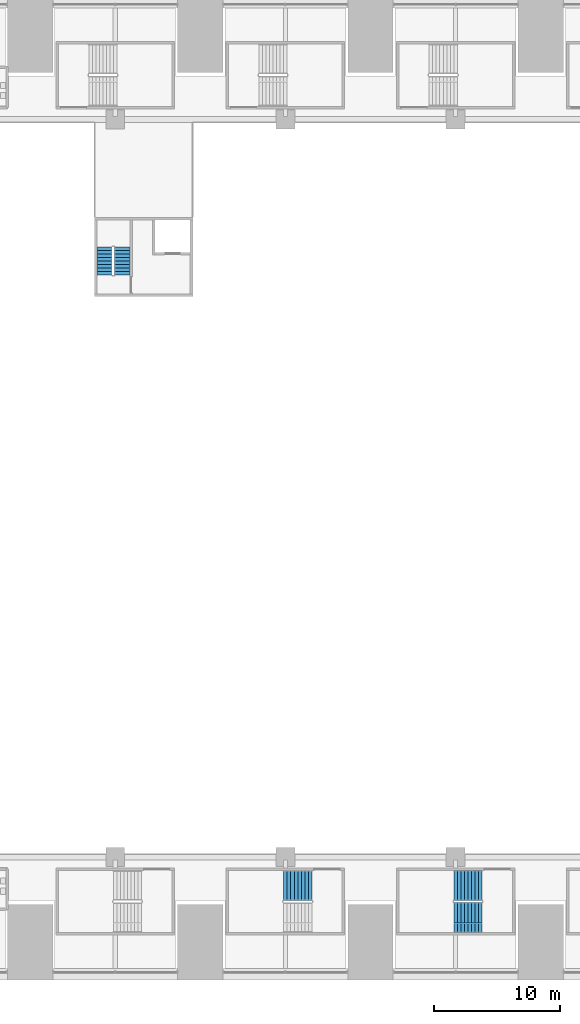
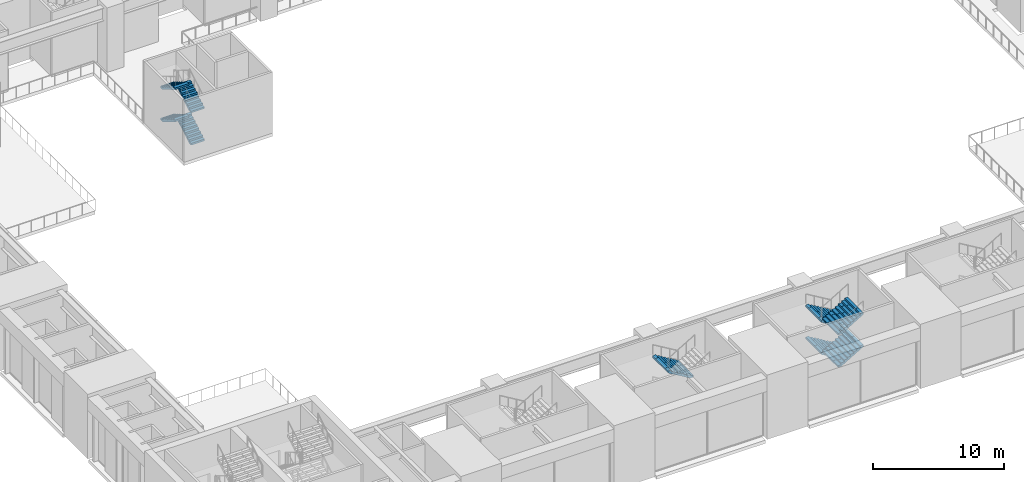
# One storey, part 24 of 43: 9 stair flights, 3 elements without a shape of their own.
"""IFC4 building model written with IfcOpenShell, lengths in metres."""

import ifcopenshell
import ifcopenshell.guid

model = None  # the IFC model being written
_history = None  # IfcOwnerHistory: only IFC2X3 demands one
_inside = {}  # id of a spatial element -> (the spatial element, [elements in it])
_under = {}  # id of a project, library or spatial element -> (it, [spatial elements below it])
_declared = {}  # id of a project -> (the project, [libraries it declares])
_typed = {}  # id of a type object -> (the type object, [elements of that type])
_made_of = {}  # id of a material, layer set ... -> (it, [elements and type objects made of it])


def new_model(schema):
    """Start an empty IFC model of exactly this schema.

    Asked for "IFC4X3", IfcOpenShell would pick the latest addendum, in which some entities
    have other attributes; the version numbers below select the first issue.
    IFC2X3 requires an IfcOwnerHistory on every rooted entity: one is made here for all.
    """
    global model, _history
    if schema == "IFC4X3":
        model = ifcopenshell.file(schema_version=(4, 3, 0, 0))
    else:
        model = ifcopenshell.file(schema=schema)
    _inside.clear()
    _under.clear()
    _declared.clear()
    _typed.clear()
    _made_of.clear()
    _history = None
    if model.schema == "IFC2X3":
        org = make("IfcOrganization", Name="unknown")
        user = make(
            "IfcPersonAndOrganization",
            ThePerson=make("IfcPerson", FamilyName="unknown"),
            TheOrganization=org,
        )
        app = make(
            "IfcApplication",
            ApplicationDeveloper=org,
            Version="unknown",
            ApplicationFullName="unknown",
            ApplicationIdentifier="unknown",
        )
        _history = make(
            "IfcOwnerHistory",
            OwningUser=user,
            OwningApplication=app,
            ChangeAction="ADDED",
            CreationDate=0,
        )
    return model


def make(cls, **values):
    """One entity of the class cls with the attributes given. An attribute that is None is left unset."""
    return model.create_entity(
        cls, **{name: value for name, value in values.items() if value is not None}
    )


def rooted(cls, **values):
    """An entity with a GlobalId (a new one), such as an element, a storey or a relation."""
    return make(cls, GlobalId=ifcopenshell.guid.new(), OwnerHistory=_history, **values)


def si_unit(unit_type, name, prefix=None):
    """IfcSIUnit, for example si_unit("LENGTHUNIT", "METRE", prefix="MILLI")."""
    return make("IfcSIUnit", UnitType=unit_type, Prefix=prefix, Name=name)


def assignment(units):
    """IfcUnitAssignment: the units of a project."""
    return None if units is None else make("IfcUnitAssignment", Units=units)


def point(xyz):
    """IfcCartesianPoint."""
    return None if xyz is None else make("IfcCartesianPoint", Coordinates=xyz)


def direction(xyz):
    """IfcDirection."""
    return None if xyz is None else make("IfcDirection", DirectionRatios=xyz)


def frame(location, z_axis=None, x_axis=None):
    """IfcAxis2Placement3D, a coordinate frame: its origin and axes. An axis left out is left unset."""
    return make(
        "IfcAxis2Placement3D",
        Location=point(location),
        Axis=direction(z_axis),
        RefDirection=direction(x_axis),
    )


def origin():
    """The frame at (0, 0, 0) with its axes left unset."""
    return frame((0.0, 0.0, 0.0))


def place(relative_to, where):
    """IfcLocalPlacement: puts the frame where relative to a parent placement (None: the world)."""
    return make(
        "IfcLocalPlacement", PlacementRelTo=relative_to, RelativePlacement=where
    )


def context(
    kind, dimensions, precision=None, world=None, true_north=None, identifier=None
):
    """IfcGeometricRepresentationContext, for example the 3D "Model" context."""
    return make(
        "IfcGeometricRepresentationContext",
        ContextIdentifier=identifier,
        ContextType=kind,
        CoordinateSpaceDimension=dimensions,
        Precision=precision,
        WorldCoordinateSystem=world,
        TrueNorth=true_north,
    )


def subcontext(parent, identifier, kind, view, scale=None):
    """IfcGeometricRepresentationSubContext, for example "Body" below "Model"."""
    return make(
        "IfcGeometricRepresentationSubContext",
        ContextIdentifier=identifier,
        ContextType=kind,
        ParentContext=parent,
        TargetScale=scale,
        TargetView=view,
    )


def project(units=None, contexts=None):
    """IfcProject with its units and contexts."""
    return rooted(
        "IfcProject",
        Name="project",
        RepresentationContexts=contexts,
        UnitsInContext=assignment(units),
    )


def spatial(cls, under=None, at=None, **own):
    """A site, building, storey or space (cls), placed at a placement, below another one or the project."""
    s = rooted(cls, ObjectPlacement=at, **own)
    if under is not None:
        _under.setdefault(under.id(), (under, []))[1].append(s)
    return s


def polyline(points):
    """IfcPolyline through the points."""
    return make("IfcPolyline", Points=[point(p) for p in points])


def outline(outer, holes=None, kind="AREA"):
    """IfcArbitraryClosedProfileDef: a profile drawn as a closed curve; with holes, ...WithVoids."""
    if holes is None:
        return make("IfcArbitraryClosedProfileDef", ProfileType=kind, OuterCurve=outer)
    return make(
        "IfcArbitraryProfileDefWithVoids",
        ProfileType=kind,
        OuterCurve=outer,
        InnerCurves=holes,
    )


def extrude(swept, where, along, depth):
    """IfcExtrudedAreaSolid: the profile swept, set in the frame where, extruded along a direction by depth."""
    return make(
        "IfcExtrudedAreaSolid",
        SweptArea=swept,
        Position=where,
        ExtrudedDirection=direction(along),
        Depth=depth,
    )


def shape(context_of_items, identifier, shape_type, items):
    """IfcShapeRepresentation: the items that make up one representation, for example the "Body"."""
    return make(
        "IfcShapeRepresentation",
        ContextOfItems=context_of_items,
        RepresentationIdentifier=identifier,
        RepresentationType=shape_type,
        Items=items,
    )


def material(Name=None, Category=None):
    """IfcMaterial."""
    return make("IfcMaterial", Name=Name, Category=Category)


def made_of(thing, what):
    """Note that an element or type object is made of a material, layer set ...; save() writes the relation."""
    if what is not None:
        _made_of.setdefault(what.id(), (what, []))[1].append(thing)
    return thing


def type_object(cls, material=None, **own):
    """A type object (cls), such as IfcWallType, which elements share."""
    return made_of(rooted(cls, **own), material)


def element(
    cls,
    number,
    at=None,
    inside=None,
    cuts=None,
    type_object=None,
    material=None,
    context=None,
    identifier="Body",
    shape_type=None,
    held_by="IfcProductDefinitionShape",
    body=None,
    shapes=None,
    **own,
):
    """One element of the class cls, such as IfcWall. Its Tag is "e" and its number.

    at: its placement. inside: the storey or other place that contains it. cuts: it is an
    opening in that element (IfcRelVoidsElement). A single representation is given by context,
    identifier, shape_type and body (its items); several are given by shapes. held_by: the class
    of the entity that holds the representations. save() writes the other relations.
    """
    e = rooted(cls, Tag="e%d" % number, ObjectPlacement=at, **own)
    if body is not None:
        shapes = [shape(context, identifier, shape_type, body)]
    if shapes is not None:
        e.Representation = make(held_by, Representations=shapes)
    if inside is not None:
        _inside.setdefault(inside.id(), (inside, []))[1].append(e)
    if cuts is not None:
        rooted(
            "IfcRelVoidsElement", RelatingBuildingElement=cuts, RelatedOpeningElement=e
        )
    if type_object is not None:
        _typed.setdefault(type_object.id(), (type_object, []))[1].append(e)
    return made_of(e, material)


def aggregate(whole, parts):
    """IfcRelAggregates: a whole, such as a stair, and the parts it consists of."""
    return rooted("IfcRelAggregates", RelatingObject=whole, RelatedObjects=parts)


def save(model, path):
    """Write the relations noted so far, then the file.

    IfcRelAggregates (storeys below a building ...), IfcRelContainedInSpatialStructure (elements
    in a storey), IfcRelDefinesByType, IfcRelAssociatesMaterial and IfcRelDeclares: one each for
    every whole, place, type object, material and project.
    """
    for whole, parts in _under.values():
        aggregate(whole, parts)
    for where, things in _inside.values():
        rooted(
            "IfcRelContainedInSpatialStructure",
            RelatedElements=things,
            RelatingStructure=where,
        )
    for kind, things in _typed.values():
        rooted("IfcRelDefinesByType", RelatedObjects=things, RelatingType=kind)
    for what, things in _made_of.values():
        rooted("IfcRelAssociatesMaterial", RelatedObjects=things, RelatingMaterial=what)
    for by, libraries in _declared.values():
        rooted("IfcRelDeclares", RelatingContext=by, RelatedDefinitions=libraries)
    model.write(path)


model = new_model("IFC4")

# Units and contexts
model_context = context("Model", 3, precision=1e-05, world=origin(), true_north=direction((0.0, 1.0)))
body_context = subcontext(model_context, "Body", "Model", "MODEL_VIEW")
ifc_project = project(units=[si_unit("LENGTHUNIT", "METRE"), si_unit("AREAUNIT", "SQUARE_METRE"), si_unit("VOLUMEUNIT", "CUBIC_METRE"), si_unit("PLANEANGLEUNIT", "RADIAN"), si_unit("MASSUNIT", "GRAM", prefix="KILO")], contexts=[model_context])

# Site, building, storey
site_placement = place(None, origin())
site = spatial("IfcSite", under=ifc_project, at=site_placement, CompositionType="ELEMENT")
building_placement = place(site_placement, origin())
building = spatial("IfcBuilding", under=site, at=building_placement, Name="Corbelhall Arena Tower", CompositionType="ELEMENT")
storey_placement = place(building_placement, frame((0.0, 0.0, 25.0)))
storey = spatial("IfcBuildingStorey", under=building, at=storey_placement, Name="L03", CompositionType="ELEMENT", Elevation=25.0)

# Stair, stair flight
ifc_material_1 = material(Name="Reinforced concrete C40/50", Category="concrete")
stair_type_1 = type_object("IfcStairType", Name="AR-EXIT-STAIR", PredefinedType="HALF_TURN_STAIR", material=ifc_material_1)
stair_1_placement = place(storey_placement, origin())
stair_1 = element("IfcStair", 1, at=stair_1_placement, inside=storey, type_object=stair_type_1, Name="L03 exit stair AS14", PredefinedType="HALF_TURN_STAIR")
stair_flight_type_1 = type_object("IfcStairFlightType", Name="AR-EXIT-FLIGHT", PredefinedType="STRAIGHT", material=ifc_material_1)
stair_flight_1_placement = place(storey_placement, frame((-4.64990234375, -31.5, 3.0), z_axis=(0.0, 0.0, 1.0), x_axis=(-1.0, 0.0, 0.0)))
stair_flight_1 = element("IfcStairFlight", 2, at=stair_flight_1_placement, type_object=stair_flight_type_1, Name="AS14 flight 3", NumberOfRisers=9, NumberOfTreads=8, PredefinedType="STRAIGHT", RiserHeight=0.166666667, TreadLength=0.28, context=body_context, shape_type="SweptSolid", body=[
    extrude(outline(polyline([(0.0, 0.0), (0.0, 0.166748046875), (0.280029296875, 0.166748046875), (0.280029296875, 0.333251953125), (0.56005859375, 0.333251953125), (0.56005859375, 0.5), (0.840087890625, 0.5), (0.840087890625, 0.666748046875), (1.1201171875, 0.666748046875), (1.1201171875, 0.833251953125), (1.39990234375, 0.833251953125), (1.39990234375, 1.0), (1.679931640625, 1.0), (1.679931640625, 1.166748046875), (1.9599609375, 1.166748046875), (1.9599609375, 1.333251953125), (2.239990234375, 1.333251953125), (2.239990234375, 1.5), (2.239990234375, 1.158935546875), (0.29296875, 0.0), (0.0, 0.0)])), frame((0.0, 1.199951171875, 0.0), z_axis=(0.0, -1.0, 0.0), x_axis=(1.0, 0.0, 0.0)), (0.0, 0.0, 1.0), 0.449951171875),
    extrude(outline(polyline([(0.0, 0.0), (0.0, 0.166748046875), (0.280029296875, 0.166748046875), (0.280029296875, 0.333251953125), (0.56005859375, 0.333251953125), (0.56005859375, 0.5), (0.840087890625, 0.5), (0.840087890625, 0.666748046875), (1.1201171875, 0.666748046875), (1.1201171875, 0.833251953125), (1.39990234375, 0.833251953125), (1.39990234375, 1.0), (1.679931640625, 1.0), (1.679931640625, 1.166748046875), (1.9599609375, 1.166748046875), (1.9599609375, 1.333251953125), (2.239990234375, 1.333251953125), (2.239990234375, 1.5), (2.239990234375, 1.158935546875), (0.29296875, 0.0), (0.0, 0.0)])), frame((0.0, 0.745849609375, 0.0), z_axis=(0.0, -1.0, 0.0), x_axis=(1.0, 0.0, 0.0)), (0.0, 0.0, 1.0), 0.295166015625),
    extrude(outline(polyline([(0.0, 0.0), (0.0, 0.166748046875), (0.280029296875, 0.166748046875), (0.280029296875, 0.333251953125), (0.56005859375, 0.333251953125), (0.56005859375, 0.5), (0.840087890625, 0.5), (0.840087890625, 0.666748046875), (1.1201171875, 0.666748046875), (1.1201171875, 0.833251953125), (1.39990234375, 0.833251953125), (1.39990234375, 1.0), (1.679931640625, 1.0), (1.679931640625, 1.166748046875), (1.9599609375, 1.166748046875), (1.9599609375, 1.333251953125), (2.239990234375, 1.333251953125), (2.239990234375, 1.5), (2.239990234375, 1.158935546875), (0.29296875, 0.0), (0.0, 0.0)])), frame((0.0, 0.44677734375, 0.0), z_axis=(0.0, -1.0, 0.0), x_axis=(1.0, 0.0, 0.0)), (0.0, 0.0, 1.0), 0.295166015625),
    extrude(outline(polyline([(0.0, 0.0), (0.0, 0.166748046875), (0.280029296875, 0.166748046875), (0.280029296875, 0.333251953125), (0.56005859375, 0.333251953125), (0.56005859375, 0.5), (0.840087890625, 0.5), (0.840087890625, 0.666748046875), (1.1201171875, 0.666748046875), (1.1201171875, 0.833251953125), (1.39990234375, 0.833251953125), (1.39990234375, 1.0), (1.679931640625, 1.0), (1.679931640625, 1.166748046875), (1.9599609375, 1.166748046875), (1.9599609375, 1.333251953125), (2.239990234375, 1.333251953125), (2.239990234375, 1.5), (2.239990234375, 1.158935546875), (0.29296875, 0.0), (0.0, 0.0)])), frame((0.0, 0.147705078125, 0.0), z_axis=(0.0, -1.0, 0.0), x_axis=(1.0, 0.0, 0.0)), (0.0, 0.0, 1.0), 0.295166015625),
    extrude(outline(polyline([(0.0, 0.0), (0.0, 0.166748046875), (0.280029296875, 0.166748046875), (0.280029296875, 0.333251953125), (0.56005859375, 0.333251953125), (0.56005859375, 0.5), (0.840087890625, 0.5), (0.840087890625, 0.666748046875), (1.1201171875, 0.666748046875), (1.1201171875, 0.833251953125), (1.39990234375, 0.833251953125), (1.39990234375, 1.0), (1.679931640625, 1.0), (1.679931640625, 1.166748046875), (1.9599609375, 1.166748046875), (1.9599609375, 1.333251953125), (2.239990234375, 1.333251953125), (2.239990234375, 1.5), (2.239990234375, 1.158935546875), (0.29296875, 0.0), (0.0, 0.0)])), frame((0.0, -0.151611328125, 0.0), z_axis=(0.0, -1.0, 0.0), x_axis=(1.0, 0.0, 0.0)), (0.0, 0.0, 1.0), 0.295166015625),
    extrude(outline(polyline([(0.0, 0.0), (0.0, 0.166748046875), (0.280029296875, 0.166748046875), (0.280029296875, 0.333251953125), (0.56005859375, 0.333251953125), (0.56005859375, 0.5), (0.840087890625, 0.5), (0.840087890625, 0.666748046875), (1.1201171875, 0.666748046875), (1.1201171875, 0.833251953125), (1.39990234375, 0.833251953125), (1.39990234375, 1.0), (1.679931640625, 1.0), (1.679931640625, 1.166748046875), (1.9599609375, 1.166748046875), (1.9599609375, 1.333251953125), (2.239990234375, 1.333251953125), (2.239990234375, 1.5), (2.239990234375, 1.158935546875), (0.29296875, 0.0), (0.0, 0.0)])), frame((0.0, -0.45068359375, 0.0), z_axis=(0.0, -1.0, 0.0), x_axis=(1.0, 0.0, 0.0)), (0.0, 0.0, 1.0), 0.295166015625),
    extrude(outline(polyline([(0.0, 0.0), (0.0, 0.166748046875), (0.280029296875, 0.166748046875), (0.280029296875, 0.333251953125), (0.56005859375, 0.333251953125), (0.56005859375, 0.5), (0.840087890625, 0.5), (0.840087890625, 0.666748046875), (1.1201171875, 0.666748046875), (1.1201171875, 0.833251953125), (1.39990234375, 0.833251953125), (1.39990234375, 1.0), (1.679931640625, 1.0), (1.679931640625, 1.166748046875), (1.9599609375, 1.166748046875), (1.9599609375, 1.333251953125), (2.239990234375, 1.333251953125), (2.239990234375, 1.5), (2.239990234375, 1.158935546875), (0.29296875, 0.0), (0.0, 0.0)])), frame((0.0, -0.75, 0.0), z_axis=(0.0, -1.0, 0.0), x_axis=(1.0, 0.0, 0.0)), (0.0, 0.0, 1.0), 0.449951171875),
])
aggregate(stair_1, [stair_flight_1])

# Stair, stair flights
stair_2_placement = place(storey_placement, origin())
stair_2 = element("IfcStair", 3, at=stair_2_placement, inside=storey, type_object=stair_type_1, Name="L03 exit stair AS15", PredefinedType="HALF_TURN_STAIR")
stair_flight_2_placement = place(storey_placement, frame((8.85009765625, -31.5, 0.0), z_axis=(0.0, 0.0, 1.0), x_axis=(-1.0, 0.0, 0.0)))
stair_flight_2 = element("IfcStairFlight", 4, at=stair_flight_2_placement, type_object=stair_flight_type_1, Name="AS15 flight 1", NumberOfRisers=9, NumberOfTreads=8, PredefinedType="STRAIGHT", RiserHeight=0.166666667, TreadLength=0.28, context=body_context, shape_type="SweptSolid", body=[
    extrude(outline(polyline([(0.0, 0.0), (0.0, 0.166748046875), (0.280029296875, 0.166748046875), (0.280029296875, 0.333251953125), (0.56005859375, 0.333251953125), (0.56005859375, 0.5), (0.840087890625, 0.5), (0.840087890625, 0.666748046875), (1.1201171875, 0.666748046875), (1.1201171875, 0.833251953125), (1.39990234375, 0.833251953125), (1.39990234375, 1.0), (1.679931640625, 1.0), (1.679931640625, 1.166748046875), (1.9599609375, 1.166748046875), (1.9599609375, 1.333251953125), (2.239990234375, 1.333251953125), (2.239990234375, 1.5), (2.239990234375, 1.158935546875), (0.29296875, 0.0), (0.0, 0.0)])), frame((0.0, 1.199951171875, 0.0), z_axis=(0.0, -1.0, 0.0), x_axis=(1.0, 0.0, 0.0)), (0.0, 0.0, 1.0), 0.449951171875),
    extrude(outline(polyline([(0.0, 0.0), (0.0, 0.166748046875), (0.280029296875, 0.166748046875), (0.280029296875, 0.333251953125), (0.56005859375, 0.333251953125), (0.56005859375, 0.5), (0.840087890625, 0.5), (0.840087890625, 0.666748046875), (1.1201171875, 0.666748046875), (1.1201171875, 0.833251953125), (1.39990234375, 0.833251953125), (1.39990234375, 1.0), (1.679931640625, 1.0), (1.679931640625, 1.166748046875), (1.9599609375, 1.166748046875), (1.9599609375, 1.333251953125), (2.239990234375, 1.333251953125), (2.239990234375, 1.5), (2.239990234375, 1.158935546875), (0.29296875, 0.0), (0.0, 0.0)])), frame((0.0, 0.745849609375, 0.0), z_axis=(0.0, -1.0, 0.0), x_axis=(1.0, 0.0, 0.0)), (0.0, 0.0, 1.0), 0.295166015625),
    extrude(outline(polyline([(0.0, 0.0), (0.0, 0.166748046875), (0.280029296875, 0.166748046875), (0.280029296875, 0.333251953125), (0.56005859375, 0.333251953125), (0.56005859375, 0.5), (0.840087890625, 0.5), (0.840087890625, 0.666748046875), (1.1201171875, 0.666748046875), (1.1201171875, 0.833251953125), (1.39990234375, 0.833251953125), (1.39990234375, 1.0), (1.679931640625, 1.0), (1.679931640625, 1.166748046875), (1.9599609375, 1.166748046875), (1.9599609375, 1.333251953125), (2.239990234375, 1.333251953125), (2.239990234375, 1.5), (2.239990234375, 1.158935546875), (0.29296875, 0.0), (0.0, 0.0)])), frame((0.0, 0.44677734375, 0.0), z_axis=(0.0, -1.0, 0.0), x_axis=(1.0, 0.0, 0.0)), (0.0, 0.0, 1.0), 0.295166015625),
    extrude(outline(polyline([(0.0, 0.0), (0.0, 0.166748046875), (0.280029296875, 0.166748046875), (0.280029296875, 0.333251953125), (0.56005859375, 0.333251953125), (0.56005859375, 0.5), (0.840087890625, 0.5), (0.840087890625, 0.666748046875), (1.1201171875, 0.666748046875), (1.1201171875, 0.833251953125), (1.39990234375, 0.833251953125), (1.39990234375, 1.0), (1.679931640625, 1.0), (1.679931640625, 1.166748046875), (1.9599609375, 1.166748046875), (1.9599609375, 1.333251953125), (2.239990234375, 1.333251953125), (2.239990234375, 1.5), (2.239990234375, 1.158935546875), (0.29296875, 0.0), (0.0, 0.0)])), frame((0.0, 0.147705078125, 0.0), z_axis=(0.0, -1.0, 0.0), x_axis=(1.0, 0.0, 0.0)), (0.0, 0.0, 1.0), 0.295166015625),
    extrude(outline(polyline([(0.0, 0.0), (0.0, 0.166748046875), (0.280029296875, 0.166748046875), (0.280029296875, 0.333251953125), (0.56005859375, 0.333251953125), (0.56005859375, 0.5), (0.840087890625, 0.5), (0.840087890625, 0.666748046875), (1.1201171875, 0.666748046875), (1.1201171875, 0.833251953125), (1.39990234375, 0.833251953125), (1.39990234375, 1.0), (1.679931640625, 1.0), (1.679931640625, 1.166748046875), (1.9599609375, 1.166748046875), (1.9599609375, 1.333251953125), (2.239990234375, 1.333251953125), (2.239990234375, 1.5), (2.239990234375, 1.158935546875), (0.29296875, 0.0), (0.0, 0.0)])), frame((0.0, -0.151611328125, 0.0), z_axis=(0.0, -1.0, 0.0), x_axis=(1.0, 0.0, 0.0)), (0.0, 0.0, 1.0), 0.295166015625),
    extrude(outline(polyline([(0.0, 0.0), (0.0, 0.166748046875), (0.280029296875, 0.166748046875), (0.280029296875, 0.333251953125), (0.56005859375, 0.333251953125), (0.56005859375, 0.5), (0.840087890625, 0.5), (0.840087890625, 0.666748046875), (1.1201171875, 0.666748046875), (1.1201171875, 0.833251953125), (1.39990234375, 0.833251953125), (1.39990234375, 1.0), (1.679931640625, 1.0), (1.679931640625, 1.166748046875), (1.9599609375, 1.166748046875), (1.9599609375, 1.333251953125), (2.239990234375, 1.333251953125), (2.239990234375, 1.5), (2.239990234375, 1.158935546875), (0.29296875, 0.0), (0.0, 0.0)])), frame((0.0, -0.45068359375, 0.0), z_axis=(0.0, -1.0, 0.0), x_axis=(1.0, 0.0, 0.0)), (0.0, 0.0, 1.0), 0.295166015625),
    extrude(outline(polyline([(0.0, 0.0), (0.0, 0.166748046875), (0.280029296875, 0.166748046875), (0.280029296875, 0.333251953125), (0.56005859375, 0.333251953125), (0.56005859375, 0.5), (0.840087890625, 0.5), (0.840087890625, 0.666748046875), (1.1201171875, 0.666748046875), (1.1201171875, 0.833251953125), (1.39990234375, 0.833251953125), (1.39990234375, 1.0), (1.679931640625, 1.0), (1.679931640625, 1.166748046875), (1.9599609375, 1.166748046875), (1.9599609375, 1.333251953125), (2.239990234375, 1.333251953125), (2.239990234375, 1.5), (2.239990234375, 1.158935546875), (0.29296875, 0.0), (0.0, 0.0)])), frame((0.0, -0.75, 0.0), z_axis=(0.0, -1.0, 0.0), x_axis=(1.0, 0.0, 0.0)), (0.0, 0.0, 1.0), 0.449951171875),
])
stair_flight_3_placement = place(storey_placement, frame((6.610107421875, -34.050048828125, 1.5), z_axis=(0.0, 0.0, 1.0), x_axis=(1.0, 0.0, 0.0)))
stair_flight_3 = element("IfcStairFlight", 5, at=stair_flight_3_placement, type_object=stair_flight_type_1, Name="AS15 flight 2", NumberOfRisers=9, NumberOfTreads=8, PredefinedType="STRAIGHT", RiserHeight=0.166666667, TreadLength=0.28, context=body_context, shape_type="SweptSolid", body=[
    extrude(outline(polyline([(0.0, 0.0), (0.0, 0.166748046875), (0.280029296875, 0.166748046875), (0.280029296875, 0.333251953125), (0.56005859375, 0.333251953125), (0.56005859375, 0.5), (0.840087890625, 0.5), (0.840087890625, 0.666748046875), (1.1201171875, 0.666748046875), (1.1201171875, 0.833251953125), (1.39990234375, 0.833251953125), (1.39990234375, 1.0), (1.679931640625, 1.0), (1.679931640625, 1.166748046875), (1.9599609375, 1.166748046875), (1.9599609375, 1.333251953125), (2.239990234375, 1.333251953125), (2.239990234375, 1.5), (2.239990234375, 1.158935546875), (0.29296875, 0.0), (0.0, 0.0)])), frame((0.0, 1.199951171875, 0.0), z_axis=(0.0, -1.0, 0.0), x_axis=(1.0, 0.0, 0.0)), (0.0, 0.0, 1.0), 0.449951171875),
    extrude(outline(polyline([(0.0, 0.0), (0.0, 0.166748046875), (0.280029296875, 0.166748046875), (0.280029296875, 0.333251953125), (0.56005859375, 0.333251953125), (0.56005859375, 0.5), (0.840087890625, 0.5), (0.840087890625, 0.666748046875), (1.1201171875, 0.666748046875), (1.1201171875, 0.833251953125), (1.39990234375, 0.833251953125), (1.39990234375, 1.0), (1.679931640625, 1.0), (1.679931640625, 1.166748046875), (1.9599609375, 1.166748046875), (1.9599609375, 1.333251953125), (2.239990234375, 1.333251953125), (2.239990234375, 1.5), (2.239990234375, 1.158935546875), (0.29296875, 0.0), (0.0, 0.0)])), frame((0.0, 0.745849609375, 0.0), z_axis=(0.0, -1.0, 0.0), x_axis=(1.0, 0.0, 0.0)), (0.0, 0.0, 1.0), 0.295166015625),
    extrude(outline(polyline([(0.0, 0.0), (0.0, 0.166748046875), (0.280029296875, 0.166748046875), (0.280029296875, 0.333251953125), (0.56005859375, 0.333251953125), (0.56005859375, 0.5), (0.840087890625, 0.5), (0.840087890625, 0.666748046875), (1.1201171875, 0.666748046875), (1.1201171875, 0.833251953125), (1.39990234375, 0.833251953125), (1.39990234375, 1.0), (1.679931640625, 1.0), (1.679931640625, 1.166748046875), (1.9599609375, 1.166748046875), (1.9599609375, 1.333251953125), (2.239990234375, 1.333251953125), (2.239990234375, 1.5), (2.239990234375, 1.158935546875), (0.29296875, 0.0), (0.0, 0.0)])), frame((0.0, 0.44677734375, 0.0), z_axis=(0.0, -1.0, 0.0), x_axis=(1.0, 0.0, 0.0)), (0.0, 0.0, 1.0), 0.295166015625),
    extrude(outline(polyline([(0.0, 0.0), (0.0, 0.166748046875), (0.280029296875, 0.166748046875), (0.280029296875, 0.333251953125), (0.56005859375, 0.333251953125), (0.56005859375, 0.5), (0.840087890625, 0.5), (0.840087890625, 0.666748046875), (1.1201171875, 0.666748046875), (1.1201171875, 0.833251953125), (1.39990234375, 0.833251953125), (1.39990234375, 1.0), (1.679931640625, 1.0), (1.679931640625, 1.166748046875), (1.9599609375, 1.166748046875), (1.9599609375, 1.333251953125), (2.239990234375, 1.333251953125), (2.239990234375, 1.5), (2.239990234375, 1.158935546875), (0.29296875, 0.0), (0.0, 0.0)])), frame((0.0, 0.147705078125, 0.0), z_axis=(0.0, -1.0, 0.0), x_axis=(1.0, 0.0, 0.0)), (0.0, 0.0, 1.0), 0.295166015625),
    extrude(outline(polyline([(0.0, 0.0), (0.0, 0.166748046875), (0.280029296875, 0.166748046875), (0.280029296875, 0.333251953125), (0.56005859375, 0.333251953125), (0.56005859375, 0.5), (0.840087890625, 0.5), (0.840087890625, 0.666748046875), (1.1201171875, 0.666748046875), (1.1201171875, 0.833251953125), (1.39990234375, 0.833251953125), (1.39990234375, 1.0), (1.679931640625, 1.0), (1.679931640625, 1.166748046875), (1.9599609375, 1.166748046875), (1.9599609375, 1.333251953125), (2.239990234375, 1.333251953125), (2.239990234375, 1.5), (2.239990234375, 1.158935546875), (0.29296875, 0.0), (0.0, 0.0)])), frame((0.0, -0.151611328125, 0.0), z_axis=(0.0, -1.0, 0.0), x_axis=(1.0, 0.0, 0.0)), (0.0, 0.0, 1.0), 0.295166015625),
    extrude(outline(polyline([(0.0, 0.0), (0.0, 0.166748046875), (0.280029296875, 0.166748046875), (0.280029296875, 0.333251953125), (0.56005859375, 0.333251953125), (0.56005859375, 0.5), (0.840087890625, 0.5), (0.840087890625, 0.666748046875), (1.1201171875, 0.666748046875), (1.1201171875, 0.833251953125), (1.39990234375, 0.833251953125), (1.39990234375, 1.0), (1.679931640625, 1.0), (1.679931640625, 1.166748046875), (1.9599609375, 1.166748046875), (1.9599609375, 1.333251953125), (2.239990234375, 1.333251953125), (2.239990234375, 1.5), (2.239990234375, 1.158935546875), (0.29296875, 0.0), (0.0, 0.0)])), frame((0.0, -0.45068359375, 0.0), z_axis=(0.0, -1.0, 0.0), x_axis=(1.0, 0.0, 0.0)), (0.0, 0.0, 1.0), 0.295166015625),
    extrude(outline(polyline([(0.0, 0.0), (0.0, 0.166748046875), (0.280029296875, 0.166748046875), (0.280029296875, 0.333251953125), (0.56005859375, 0.333251953125), (0.56005859375, 0.5), (0.840087890625, 0.5), (0.840087890625, 0.666748046875), (1.1201171875, 0.666748046875), (1.1201171875, 0.833251953125), (1.39990234375, 0.833251953125), (1.39990234375, 1.0), (1.679931640625, 1.0), (1.679931640625, 1.166748046875), (1.9599609375, 1.166748046875), (1.9599609375, 1.333251953125), (2.239990234375, 1.333251953125), (2.239990234375, 1.5), (2.239990234375, 1.158935546875), (0.29296875, 0.0), (0.0, 0.0)])), frame((0.0, -0.75, 0.0), z_axis=(0.0, -1.0, 0.0), x_axis=(1.0, 0.0, 0.0)), (0.0, 0.0, 1.0), 0.449951171875),
])
stair_flight_4_placement = place(storey_placement, frame((8.85009765625, -31.5, 3.0), z_axis=(0.0, 0.0, 1.0), x_axis=(-1.0, 0.0, 0.0)))
stair_flight_4 = element("IfcStairFlight", 6, at=stair_flight_4_placement, type_object=stair_flight_type_1, Name="AS15 flight 3", NumberOfRisers=9, NumberOfTreads=8, PredefinedType="STRAIGHT", RiserHeight=0.166666667, TreadLength=0.28, context=body_context, shape_type="SweptSolid", body=[
    extrude(outline(polyline([(0.0, 0.0), (0.0, 0.166748046875), (0.280029296875, 0.166748046875), (0.280029296875, 0.333251953125), (0.56005859375, 0.333251953125), (0.56005859375, 0.5), (0.840087890625, 0.5), (0.840087890625, 0.666748046875), (1.1201171875, 0.666748046875), (1.1201171875, 0.833251953125), (1.39990234375, 0.833251953125), (1.39990234375, 1.0), (1.679931640625, 1.0), (1.679931640625, 1.166748046875), (1.9599609375, 1.166748046875), (1.9599609375, 1.333251953125), (2.239990234375, 1.333251953125), (2.239990234375, 1.5), (2.239990234375, 1.158935546875), (0.29296875, 0.0), (0.0, 0.0)])), frame((0.0, 1.199951171875, 0.0), z_axis=(0.0, -1.0, 0.0), x_axis=(1.0, 0.0, 0.0)), (0.0, 0.0, 1.0), 0.449951171875),
    extrude(outline(polyline([(0.0, 0.0), (0.0, 0.166748046875), (0.280029296875, 0.166748046875), (0.280029296875, 0.333251953125), (0.56005859375, 0.333251953125), (0.56005859375, 0.5), (0.840087890625, 0.5), (0.840087890625, 0.666748046875), (1.1201171875, 0.666748046875), (1.1201171875, 0.833251953125), (1.39990234375, 0.833251953125), (1.39990234375, 1.0), (1.679931640625, 1.0), (1.679931640625, 1.166748046875), (1.9599609375, 1.166748046875), (1.9599609375, 1.333251953125), (2.239990234375, 1.333251953125), (2.239990234375, 1.5), (2.239990234375, 1.158935546875), (0.29296875, 0.0), (0.0, 0.0)])), frame((0.0, 0.745849609375, 0.0), z_axis=(0.0, -1.0, 0.0), x_axis=(1.0, 0.0, 0.0)), (0.0, 0.0, 1.0), 0.295166015625),
    extrude(outline(polyline([(0.0, 0.0), (0.0, 0.166748046875), (0.280029296875, 0.166748046875), (0.280029296875, 0.333251953125), (0.56005859375, 0.333251953125), (0.56005859375, 0.5), (0.840087890625, 0.5), (0.840087890625, 0.666748046875), (1.1201171875, 0.666748046875), (1.1201171875, 0.833251953125), (1.39990234375, 0.833251953125), (1.39990234375, 1.0), (1.679931640625, 1.0), (1.679931640625, 1.166748046875), (1.9599609375, 1.166748046875), (1.9599609375, 1.333251953125), (2.239990234375, 1.333251953125), (2.239990234375, 1.5), (2.239990234375, 1.158935546875), (0.29296875, 0.0), (0.0, 0.0)])), frame((0.0, 0.44677734375, 0.0), z_axis=(0.0, -1.0, 0.0), x_axis=(1.0, 0.0, 0.0)), (0.0, 0.0, 1.0), 0.295166015625),
    extrude(outline(polyline([(0.0, 0.0), (0.0, 0.166748046875), (0.280029296875, 0.166748046875), (0.280029296875, 0.333251953125), (0.56005859375, 0.333251953125), (0.56005859375, 0.5), (0.840087890625, 0.5), (0.840087890625, 0.666748046875), (1.1201171875, 0.666748046875), (1.1201171875, 0.833251953125), (1.39990234375, 0.833251953125), (1.39990234375, 1.0), (1.679931640625, 1.0), (1.679931640625, 1.166748046875), (1.9599609375, 1.166748046875), (1.9599609375, 1.333251953125), (2.239990234375, 1.333251953125), (2.239990234375, 1.5), (2.239990234375, 1.158935546875), (0.29296875, 0.0), (0.0, 0.0)])), frame((0.0, 0.147705078125, 0.0), z_axis=(0.0, -1.0, 0.0), x_axis=(1.0, 0.0, 0.0)), (0.0, 0.0, 1.0), 0.295166015625),
    extrude(outline(polyline([(0.0, 0.0), (0.0, 0.166748046875), (0.280029296875, 0.166748046875), (0.280029296875, 0.333251953125), (0.56005859375, 0.333251953125), (0.56005859375, 0.5), (0.840087890625, 0.5), (0.840087890625, 0.666748046875), (1.1201171875, 0.666748046875), (1.1201171875, 0.833251953125), (1.39990234375, 0.833251953125), (1.39990234375, 1.0), (1.679931640625, 1.0), (1.679931640625, 1.166748046875), (1.9599609375, 1.166748046875), (1.9599609375, 1.333251953125), (2.239990234375, 1.333251953125), (2.239990234375, 1.5), (2.239990234375, 1.158935546875), (0.29296875, 0.0), (0.0, 0.0)])), frame((0.0, -0.151611328125, 0.0), z_axis=(0.0, -1.0, 0.0), x_axis=(1.0, 0.0, 0.0)), (0.0, 0.0, 1.0), 0.295166015625),
    extrude(outline(polyline([(0.0, 0.0), (0.0, 0.166748046875), (0.280029296875, 0.166748046875), (0.280029296875, 0.333251953125), (0.56005859375, 0.333251953125), (0.56005859375, 0.5), (0.840087890625, 0.5), (0.840087890625, 0.666748046875), (1.1201171875, 0.666748046875), (1.1201171875, 0.833251953125), (1.39990234375, 0.833251953125), (1.39990234375, 1.0), (1.679931640625, 1.0), (1.679931640625, 1.166748046875), (1.9599609375, 1.166748046875), (1.9599609375, 1.333251953125), (2.239990234375, 1.333251953125), (2.239990234375, 1.5), (2.239990234375, 1.158935546875), (0.29296875, 0.0), (0.0, 0.0)])), frame((0.0, -0.45068359375, 0.0), z_axis=(0.0, -1.0, 0.0), x_axis=(1.0, 0.0, 0.0)), (0.0, 0.0, 1.0), 0.295166015625),
    extrude(outline(polyline([(0.0, 0.0), (0.0, 0.166748046875), (0.280029296875, 0.166748046875), (0.280029296875, 0.333251953125), (0.56005859375, 0.333251953125), (0.56005859375, 0.5), (0.840087890625, 0.5), (0.840087890625, 0.666748046875), (1.1201171875, 0.666748046875), (1.1201171875, 0.833251953125), (1.39990234375, 0.833251953125), (1.39990234375, 1.0), (1.679931640625, 1.0), (1.679931640625, 1.166748046875), (1.9599609375, 1.166748046875), (1.9599609375, 1.333251953125), (2.239990234375, 1.333251953125), (2.239990234375, 1.5), (2.239990234375, 1.158935546875), (0.29296875, 0.0), (0.0, 0.0)])), frame((0.0, -0.75, 0.0), z_axis=(0.0, -1.0, 0.0), x_axis=(1.0, 0.0, 0.0)), (0.0, 0.0, 1.0), 0.449951171875),
])
stair_flight_5_placement = place(storey_placement, frame((6.610107421875, -34.050048828125, 4.5), z_axis=(0.0, 0.0, 1.0), x_axis=(1.0, 0.0, 0.0)))
stair_flight_5 = element("IfcStairFlight", 7, at=stair_flight_5_placement, type_object=stair_flight_type_1, Name="AS15 flight 4", NumberOfRisers=9, NumberOfTreads=8, PredefinedType="STRAIGHT", RiserHeight=0.166666667, TreadLength=0.28, context=body_context, shape_type="SweptSolid", body=[
    extrude(outline(polyline([(0.0, 0.0), (0.0, 0.166748046875), (0.280029296875, 0.166748046875), (0.280029296875, 0.333251953125), (0.56005859375, 0.333251953125), (0.56005859375, 0.5), (0.840087890625, 0.5), (0.840087890625, 0.666748046875), (1.1201171875, 0.666748046875), (1.1201171875, 0.833251953125), (1.39990234375, 0.833251953125), (1.39990234375, 1.0), (1.679931640625, 1.0), (1.679931640625, 1.166748046875), (1.9599609375, 1.166748046875), (1.9599609375, 1.333251953125), (2.239990234375, 1.333251953125), (2.239990234375, 1.5), (2.239990234375, 1.158935546875), (0.29296875, 0.0), (0.0, 0.0)])), frame((0.0, 1.199951171875, 0.0), z_axis=(0.0, -1.0, 0.0), x_axis=(1.0, 0.0, 0.0)), (0.0, 0.0, 1.0), 0.449951171875),
    extrude(outline(polyline([(0.0, 0.0), (0.0, 0.166748046875), (0.280029296875, 0.166748046875), (0.280029296875, 0.333251953125), (0.56005859375, 0.333251953125), (0.56005859375, 0.5), (0.840087890625, 0.5), (0.840087890625, 0.666748046875), (1.1201171875, 0.666748046875), (1.1201171875, 0.833251953125), (1.39990234375, 0.833251953125), (1.39990234375, 1.0), (1.679931640625, 1.0), (1.679931640625, 1.166748046875), (1.9599609375, 1.166748046875), (1.9599609375, 1.333251953125), (2.239990234375, 1.333251953125), (2.239990234375, 1.5), (2.239990234375, 1.158935546875), (0.29296875, 0.0), (0.0, 0.0)])), frame((0.0, 0.745849609375, 0.0), z_axis=(0.0, -1.0, 0.0), x_axis=(1.0, 0.0, 0.0)), (0.0, 0.0, 1.0), 0.295166015625),
    extrude(outline(polyline([(0.0, 0.0), (0.0, 0.166748046875), (0.280029296875, 0.166748046875), (0.280029296875, 0.333251953125), (0.56005859375, 0.333251953125), (0.56005859375, 0.5), (0.840087890625, 0.5), (0.840087890625, 0.666748046875), (1.1201171875, 0.666748046875), (1.1201171875, 0.833251953125), (1.39990234375, 0.833251953125), (1.39990234375, 1.0), (1.679931640625, 1.0), (1.679931640625, 1.166748046875), (1.9599609375, 1.166748046875), (1.9599609375, 1.333251953125), (2.239990234375, 1.333251953125), (2.239990234375, 1.5), (2.239990234375, 1.158935546875), (0.29296875, 0.0), (0.0, 0.0)])), frame((0.0, 0.44677734375, 0.0), z_axis=(0.0, -1.0, 0.0), x_axis=(1.0, 0.0, 0.0)), (0.0, 0.0, 1.0), 0.295166015625),
    extrude(outline(polyline([(0.0, 0.0), (0.0, 0.166748046875), (0.280029296875, 0.166748046875), (0.280029296875, 0.333251953125), (0.56005859375, 0.333251953125), (0.56005859375, 0.5), (0.840087890625, 0.5), (0.840087890625, 0.666748046875), (1.1201171875, 0.666748046875), (1.1201171875, 0.833251953125), (1.39990234375, 0.833251953125), (1.39990234375, 1.0), (1.679931640625, 1.0), (1.679931640625, 1.166748046875), (1.9599609375, 1.166748046875), (1.9599609375, 1.333251953125), (2.239990234375, 1.333251953125), (2.239990234375, 1.5), (2.239990234375, 1.158935546875), (0.29296875, 0.0), (0.0, 0.0)])), frame((0.0, 0.147705078125, 0.0), z_axis=(0.0, -1.0, 0.0), x_axis=(1.0, 0.0, 0.0)), (0.0, 0.0, 1.0), 0.295166015625),
    extrude(outline(polyline([(0.0, 0.0), (0.0, 0.166748046875), (0.280029296875, 0.166748046875), (0.280029296875, 0.333251953125), (0.56005859375, 0.333251953125), (0.56005859375, 0.5), (0.840087890625, 0.5), (0.840087890625, 0.666748046875), (1.1201171875, 0.666748046875), (1.1201171875, 0.833251953125), (1.39990234375, 0.833251953125), (1.39990234375, 1.0), (1.679931640625, 1.0), (1.679931640625, 1.166748046875), (1.9599609375, 1.166748046875), (1.9599609375, 1.333251953125), (2.239990234375, 1.333251953125), (2.239990234375, 1.5), (2.239990234375, 1.158935546875), (0.29296875, 0.0), (0.0, 0.0)])), frame((0.0, -0.151611328125, 0.0), z_axis=(0.0, -1.0, 0.0), x_axis=(1.0, 0.0, 0.0)), (0.0, 0.0, 1.0), 0.295166015625),
    extrude(outline(polyline([(0.0, 0.0), (0.0, 0.166748046875), (0.280029296875, 0.166748046875), (0.280029296875, 0.333251953125), (0.56005859375, 0.333251953125), (0.56005859375, 0.5), (0.840087890625, 0.5), (0.840087890625, 0.666748046875), (1.1201171875, 0.666748046875), (1.1201171875, 0.833251953125), (1.39990234375, 0.833251953125), (1.39990234375, 1.0), (1.679931640625, 1.0), (1.679931640625, 1.166748046875), (1.9599609375, 1.166748046875), (1.9599609375, 1.333251953125), (2.239990234375, 1.333251953125), (2.239990234375, 1.5), (2.239990234375, 1.158935546875), (0.29296875, 0.0), (0.0, 0.0)])), frame((0.0, -0.45068359375, 0.0), z_axis=(0.0, -1.0, 0.0), x_axis=(1.0, 0.0, 0.0)), (0.0, 0.0, 1.0), 0.295166015625),
    extrude(outline(polyline([(0.0, 0.0), (0.0, 0.166748046875), (0.280029296875, 0.166748046875), (0.280029296875, 0.333251953125), (0.56005859375, 0.333251953125), (0.56005859375, 0.5), (0.840087890625, 0.5), (0.840087890625, 0.666748046875), (1.1201171875, 0.666748046875), (1.1201171875, 0.833251953125), (1.39990234375, 0.833251953125), (1.39990234375, 1.0), (1.679931640625, 1.0), (1.679931640625, 1.166748046875), (1.9599609375, 1.166748046875), (1.9599609375, 1.333251953125), (2.239990234375, 1.333251953125), (2.239990234375, 1.5), (2.239990234375, 1.158935546875), (0.29296875, 0.0), (0.0, 0.0)])), frame((0.0, -0.75, 0.0), z_axis=(0.0, -1.0, 0.0), x_axis=(1.0, 0.0, 0.0)), (0.0, 0.0, 1.0), 0.449951171875),
])
aggregate(stair_2, [stair_flight_2, stair_flight_3, stair_flight_4, stair_flight_5])

ifc_material_2 = material(Name="Concrete C40/50", Category="concrete")
stair_type_2 = type_object("IfcStairType", Name="IN-ST-TOWER", PredefinedType="HALF_TURN_STAIR", material=ifc_material_2)
stair_3_placement = place(storey_placement, origin())
stair_3 = element("IfcStair", 8, at=stair_3_placement, inside=storey, type_object=stair_type_2, Name="L03 Exit stair AS17", PredefinedType="HALF_TURN_STAIR")
stair_flight_type_2 = type_object("IfcStairFlightType", Name="IN-SFL-RC", PredefinedType="STRAIGHT", material=ifc_material_2)
stair_flight_6_placement = place(storey_placement, frame((-19.695068359375, 16.89990234375, 0.0), z_axis=(0.0, 0.0, 1.0), x_axis=(0.0, 1.0, 0.0)))
stair_flight_6 = element("IfcStairFlight", 9, at=stair_flight_6_placement, type_object=stair_flight_type_2, Name="AS17 flight 1", NumberOfRisers=9, NumberOfTreads=8, PredefinedType="STRAIGHT", RiserHeight=0.166666667, TreadLength=0.28, context=body_context, shape_type="SweptSolid", body=[
    extrude(outline(polyline([(0.0, 0.0), (0.0, 0.166748046875), (0.280029296875, 0.166748046875), (0.280029296875, 0.333251953125), (0.56005859375, 0.333251953125), (0.56005859375, 0.5), (0.840087890625, 0.5), (0.840087890625, 0.666748046875), (1.1201171875, 0.666748046875), (1.1201171875, 0.833251953125), (1.39990234375, 0.833251953125), (1.39990234375, 1.0), (1.679931640625, 1.0), (1.679931640625, 1.166748046875), (1.9599609375, 1.166748046875), (1.9599609375, 1.333251953125), (2.239990234375, 1.333251953125), (2.239990234375, 1.5), (2.239990234375, 1.158935546875), (0.29296875, 0.0), (0.0, 0.0)])), frame((0.0, 0.60009765625, 0.0), z_axis=(0.0, -1.0, 0.0), x_axis=(1.0, 0.0, 0.0)), (0.0, 0.0, 1.0), 1.199951171875),
])
stair_flight_7_placement = place(storey_placement, frame((-21.094970703125, 19.139892578125, 1.5), z_axis=(0.0, 0.0, 1.0), x_axis=(0.0, -1.0, 0.0)))
stair_flight_7 = element("IfcStairFlight", 10, at=stair_flight_7_placement, type_object=stair_flight_type_2, Name="AS17 flight 2", NumberOfRisers=9, NumberOfTreads=8, PredefinedType="STRAIGHT", RiserHeight=0.166666667, TreadLength=0.28, context=body_context, shape_type="SweptSolid", body=[
    extrude(outline(polyline([(0.0, 0.0), (0.0, 0.166748046875), (0.280029296875, 0.166748046875), (0.280029296875, 0.333251953125), (0.56005859375, 0.333251953125), (0.56005859375, 0.5), (0.840087890625, 0.5), (0.840087890625, 0.666748046875), (1.1201171875, 0.666748046875), (1.1201171875, 0.833251953125), (1.39990234375, 0.833251953125), (1.39990234375, 1.0), (1.679931640625, 1.0), (1.679931640625, 1.166748046875), (1.9599609375, 1.166748046875), (1.9599609375, 1.333251953125), (2.239990234375, 1.333251953125), (2.239990234375, 1.5), (2.239990234375, 1.158935546875), (0.29296875, 0.0), (0.0, 0.0)])), frame((0.0, 0.60009765625, 0.0), z_axis=(0.0, -1.0, 0.0), x_axis=(1.0, 0.0, 0.0)), (0.0, 0.0, 1.0), 1.199951171875),
])
stair_flight_8_placement = place(storey_placement, frame((-19.695068359375, 16.89990234375, 3.0), z_axis=(0.0, 0.0, 1.0), x_axis=(0.0, 1.0, 0.0)))
stair_flight_8 = element("IfcStairFlight", 11, at=stair_flight_8_placement, type_object=stair_flight_type_2, Name="AS17 flight 3", NumberOfRisers=9, NumberOfTreads=8, PredefinedType="STRAIGHT", RiserHeight=0.166666667, TreadLength=0.28, context=body_context, shape_type="SweptSolid", body=[
    extrude(outline(polyline([(0.0, 0.0), (0.0, 0.166748046875), (0.280029296875, 0.166748046875), (0.280029296875, 0.333251953125), (0.56005859375, 0.333251953125), (0.56005859375, 0.5), (0.840087890625, 0.5), (0.840087890625, 0.666748046875), (1.1201171875, 0.666748046875), (1.1201171875, 0.833251953125), (1.39990234375, 0.833251953125), (1.39990234375, 1.0), (1.679931640625, 1.0), (1.679931640625, 1.166748046875), (1.9599609375, 1.166748046875), (1.9599609375, 1.333251953125), (2.239990234375, 1.333251953125), (2.239990234375, 1.5), (2.239990234375, 1.158935546875), (0.29296875, 0.0), (0.0, 0.0)])), frame((0.0, 0.60009765625, 0.0), z_axis=(0.0, -1.0, 0.0), x_axis=(1.0, 0.0, 0.0)), (0.0, 0.0, 1.0), 1.199951171875),
])
stair_flight_9_placement = place(storey_placement, frame((-21.094970703125, 19.139892578125, 4.5), z_axis=(0.0, 0.0, 1.0), x_axis=(0.0, -1.0, 0.0)))
stair_flight_9 = element("IfcStairFlight", 12, at=stair_flight_9_placement, type_object=stair_flight_type_2, Name="AS17 flight 4", NumberOfRisers=9, NumberOfTreads=8, PredefinedType="STRAIGHT", RiserHeight=0.166666667, TreadLength=0.28, context=body_context, shape_type="SweptSolid", body=[
    extrude(outline(polyline([(0.0, 0.0), (0.0, 0.166748046875), (0.280029296875, 0.166748046875), (0.280029296875, 0.333251953125), (0.56005859375, 0.333251953125), (0.56005859375, 0.5), (0.840087890625, 0.5), (0.840087890625, 0.666748046875), (1.1201171875, 0.666748046875), (1.1201171875, 0.833251953125), (1.39990234375, 0.833251953125), (1.39990234375, 1.0), (1.679931640625, 1.0), (1.679931640625, 1.166748046875), (1.9599609375, 1.166748046875), (1.9599609375, 1.333251953125), (2.239990234375, 1.333251953125), (2.239990234375, 1.5), (2.239990234375, 1.158935546875), (0.29296875, 0.0), (0.0, 0.0)])), frame((0.0, 0.60009765625, 0.0), z_axis=(0.0, -1.0, 0.0), x_axis=(1.0, 0.0, 0.0)), (0.0, 0.0, 1.0), 1.199951171875),
])
aggregate(stair_3, [stair_flight_6, stair_flight_7, stair_flight_8, stair_flight_9])

save(model, "model.ifc")
